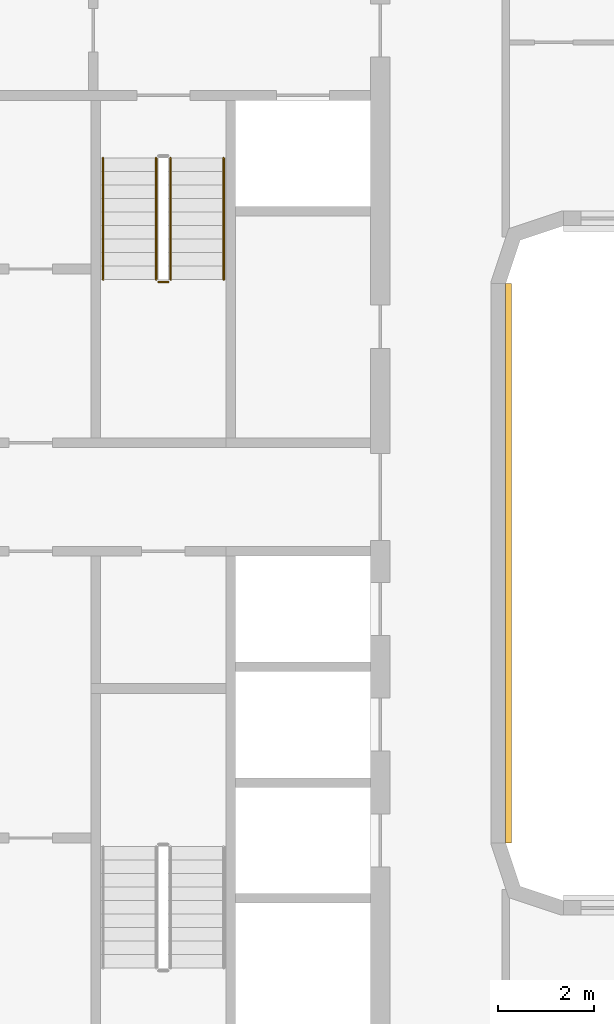
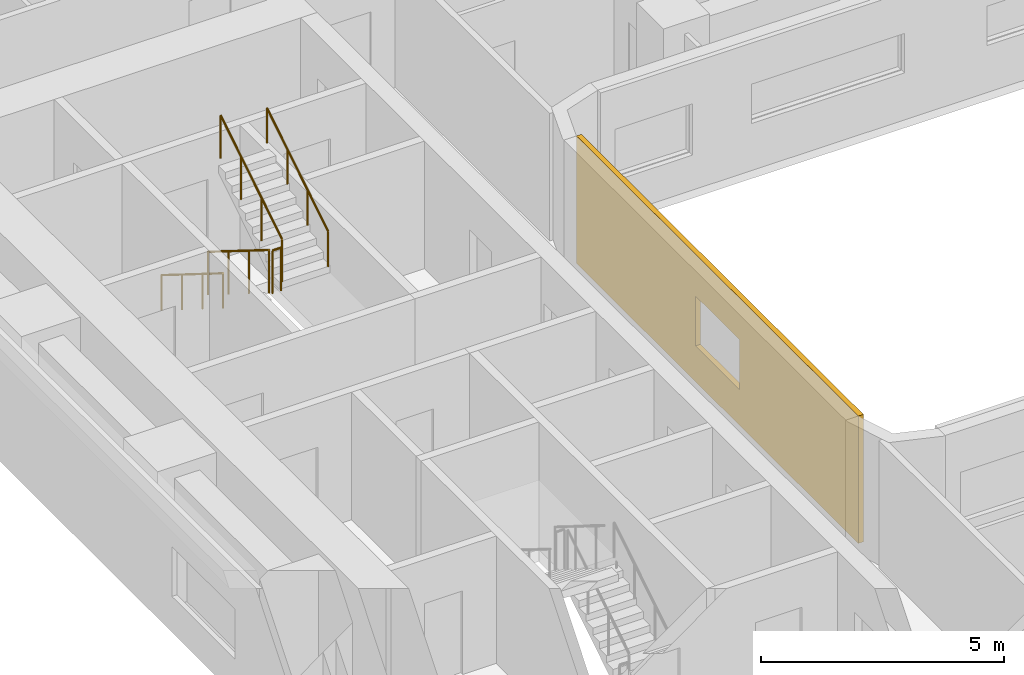
# One storey, part 15 of 22: 5 railings, 1 covering.
"""IFC4 building model written with IfcOpenShell, lengths in metres."""

from ifc_helpers import new_model, si_unit, direction, frame, origin, origin_2d, place, context, subcontext, project, spatial, polyline, circle, outline, extrude, material, layer, layer_set, type_object, element, save


model = new_model("IFC4")

# Units and contexts
model_context = context("Model", 3, precision=1e-05, world=origin(), true_north=direction((0.0, 1.0)))
body_context = subcontext(model_context, "Body", "Model", "MODEL_VIEW")
ifc_project = project(units=[si_unit("LENGTHUNIT", "METRE"), si_unit("AREAUNIT", "SQUARE_METRE"), si_unit("VOLUMEUNIT", "CUBIC_METRE"), si_unit("PLANEANGLEUNIT", "RADIAN"), si_unit("MASSUNIT", "GRAM", prefix="KILO")], contexts=[model_context])

# Site, building, storey
site_placement = place(None, origin())
site = spatial("IfcSite", under=ifc_project, at=site_placement, CompositionType="ELEMENT")
building_placement = place(site_placement, origin())
building = spatial("IfcBuilding", under=site, at=building_placement, Name="Kiln Ring Residences", CompositionType="ELEMENT")
storey_placement = place(building_placement, frame((0.0, 0.0, 55.0)))
storey = spatial("IfcBuildingStorey", under=building, at=storey_placement, Name="L13", CompositionType="ELEMENT", Elevation=55.0)

# Railings
ifc_material_1 = material(Name="Stainless steel", Category="steel")
railing_type_1 = type_object("IfcRailingType", Name="CORE-STAIR-GUARD", PredefinedType="GUARDRAIL", material=ifc_material_1)
railing_1_placement = place(storey_placement, frame((-22.25, 8.39990234375, 0.175048828125)))
element("IfcRailing", 1, at=railing_1_placement, inside=storey, type_object=railing_type_1, Name="L13 W-STN stair guard 1", PredefinedType="GUARDRAIL", context=body_context, shape_type="SweptSolid", body=[
    extrude(circle(Radius=0.02392578125, at=origin_2d()), frame((0.0, 0.0, 1.076171875), z_axis=(0.0, -0.848007534815, 0.529984170421), x_axis=(1.0, 0.0, 0.0)), (0.0, 0.0, 1.0), 2.9716796875),
    extrude(circle(Radius=0.02099609375, at=origin_2d()), origin(), (0.0, 0.0, 1.0), 1.052001953125),
    extrude(circle(Radius=0.02099609375, at=origin_2d()), frame((0.0, -0.840087890625, 0.52490234375)), (0.0, 0.0, 1.0), 1.052001953125),
    extrude(circle(Radius=0.02099609375, at=origin_2d()), frame((0.0, -1.679931640625, 1.050048828125)), (0.0, 0.0, 1.0), 1.052001953125),
    extrude(circle(Radius=0.02099609375, at=origin_2d()), frame((0.0, -2.52001953125, 1.574951171875)), (0.0, 0.0, 1.0), 1.052001953125),
])
railing_2_placement = place(storey_placement, frame((-22.199951171875, 5.830078125, 1.75)))
element("IfcRailing", 2, at=railing_2_placement, inside=storey, type_object=railing_type_1, Name="L13 W-STN stair guard 2", PredefinedType="GUARDRAIL", context=body_context, shape_type="SweptSolid", body=[
    extrude(circle(Radius=0.02392578125, at=origin_2d()), frame((0.0, 0.0, 1.076171875), z_axis=(1.0, 0.0, 0.0), x_axis=(0.0, 1.0, 0.0)), (0.0, 0.0, 1.0), 0.199951171875),
    extrude(circle(Radius=0.02099609375, at=origin_2d()), origin(), (0.0, 0.0, 1.0), 1.052001953125),
    extrude(circle(Radius=0.02099609375, at=origin_2d()), frame((0.199951171875, 0.0, 0.0)), (0.0, 0.0, 1.0), 1.052001953125),
])
railing_3_placement = place(storey_placement, frame((-21.949951171875, 5.8798828125, 1.925048828125)))
element("IfcRailing", 3, at=railing_3_placement, inside=storey, type_object=railing_type_1, Name="L13 W-STN stair guard 3", PredefinedType="GUARDRAIL", context=body_context, shape_type="SweptSolid", body=[
    extrude(circle(Radius=0.02392578125, at=origin_2d()), frame((0.0, 0.0, 1.076171875), z_axis=(0.0, 0.848007534815, 0.529984170421), x_axis=(-1.0, 0.0, 0.0)), (0.0, 0.0, 1.0), 2.9716796875),
    extrude(circle(Radius=0.02099609375, at=origin_2d()), origin(), (0.0, 0.0, 1.0), 1.052001953125),
    extrude(circle(Radius=0.02099609375, at=origin_2d()), frame((0.0, 0.840087890625, 0.52490234375)), (0.0, 0.0, 1.0), 1.052001953125),
    extrude(circle(Radius=0.02099609375, at=origin_2d()), frame((0.0, 1.679931640625, 1.050048828125)), (0.0, 0.0, 1.0), 1.052001953125),
    extrude(circle(Radius=0.02099609375, at=origin_2d()), frame((0.0, 2.52001953125, 1.574951171875)), (0.0, 0.0, 1.0), 1.052001953125),
])
ifc_material_2 = material(Name="Stainless steel", Category="steel")
railing_type_2 = type_object("IfcRailingType", Name="CORE-STAIR-HANDRAIL", PredefinedType="HANDRAIL", material=ifc_material_2)
railing_4_placement = place(storey_placement, frame((-23.35009765625, 8.39990234375, 0.175048828125)))
element("IfcRailing", 4, at=railing_4_placement, inside=storey, type_object=railing_type_2, Name="L13 W-STN stair handrail 1", PredefinedType="HANDRAIL", context=body_context, shape_type="SweptSolid", body=[
    extrude(circle(Radius=0.02392578125, at=origin_2d()), frame((0.0, 0.0, 0.8759765625), z_axis=(0.0, -0.848007534815, 0.529984170421), x_axis=(1.0, 0.0, 0.0)), (0.0, 0.0, 1.0), 2.9716796875),
    extrude(circle(Radius=0.02099609375, at=origin_2d()), origin(), (0.0, 0.0, 1.0), 0.851806640625),
    extrude(circle(Radius=0.02099609375, at=origin_2d()), frame((0.0, -0.840087890625, 0.52490234375)), (0.0, 0.0, 1.0), 0.851806640625),
    extrude(circle(Radius=0.02099609375, at=origin_2d()), frame((0.0, -1.679931640625, 1.050048828125)), (0.0, 0.0, 1.0), 0.851806640625),
    extrude(circle(Radius=0.02099609375, at=origin_2d()), frame((0.0, -2.52001953125, 1.574951171875)), (0.0, 0.0, 1.0), 0.851806640625),
])
railing_5_placement = place(storey_placement, frame((-20.85009765625, 5.8798828125, 1.925048828125)))
element("IfcRailing", 5, at=railing_5_placement, inside=storey, type_object=railing_type_2, Name="L13 W-STN stair handrail 2", PredefinedType="HANDRAIL", context=body_context, shape_type="SweptSolid", body=[
    extrude(circle(Radius=0.02392578125, at=origin_2d()), frame((0.0, 0.0, 0.8759765625), z_axis=(0.0, 0.848007534815, 0.529984170421), x_axis=(-1.0, 0.0, 0.0)), (0.0, 0.0, 1.0), 2.9716796875),
    extrude(circle(Radius=0.02099609375, at=origin_2d()), origin(), (0.0, 0.0, 1.0), 0.851806640625),
    extrude(circle(Radius=0.02099609375, at=origin_2d()), frame((0.0, 0.840087890625, 0.52490234375)), (0.0, 0.0, 1.0), 0.851806640625),
    extrude(circle(Radius=0.02099609375, at=origin_2d()), frame((0.0, 1.679931640625, 1.050048828125)), (0.0, 0.0, 1.0), 0.851806640625),
    extrude(circle(Radius=0.02099609375, at=origin_2d()), frame((0.0, 2.52001953125, 1.574951171875)), (0.0, 0.0, 1.0), 0.851806640625),
])

# Covering
ifc_material_3 = material(Name="Brick masonry, dark clay brick", Category="masonry")
ifc_layer = layer(ifc_material_3, 0.1201171875)
ifc_layer_set = layer_set([ifc_layer], Name="RAINSCREEN PANEL 120")
covering_type = type_object("IfcCoveringType", Name="RAINSCREEN PANEL 120", PredefinedType="CLADDING", material=ifc_layer_set)
covering_placement = place(storey_placement, frame((-14.93994140625, -5.800048828125, 0.0), z_axis=(0.0, 0.0, 1.0), x_axis=(0.0, 1.0, 0.0)))
element("IfcCovering", 6, at=covering_placement, inside=storey, type_object=covering_type, Name="RAINSCREEN L13", PredefinedType="CLADDING", context=body_context, shape_type="SweptSolid", body=[
    extrude(outline(polyline([(0.0, 0.0), (11.60009765625, 0.0), (11.60009765625, 3.199951171875), (0.0, 3.199951171875), (0.0, 0.0)]), holes=[polyline([(4.89990234375, 2.14990234375), (4.89990234375, 0.89990234375), (6.699951171875, 0.89990234375), (6.699951171875, 2.14990234375), (4.89990234375, 2.14990234375)])]), frame((0.0, 0.06005859375, 0.0), z_axis=(0.0, -1.0, 0.0), x_axis=(1.0, 0.0, 0.0)), (0.0, 0.0, 1.0), 0.1201171875),
])

save(model, "model.ifc")
